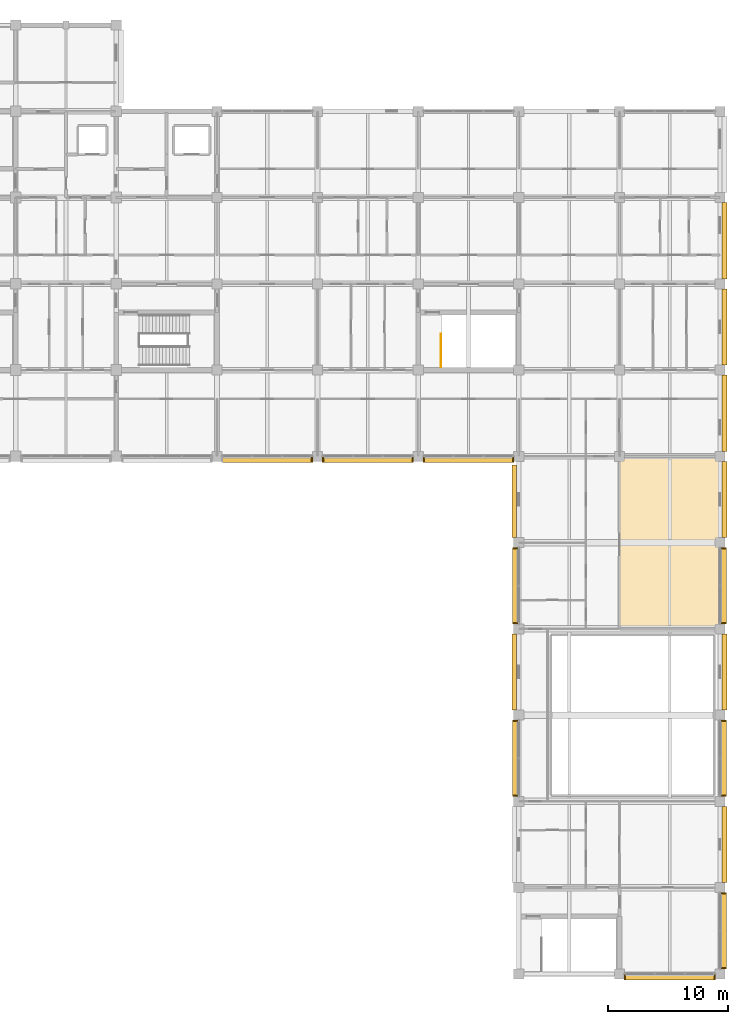
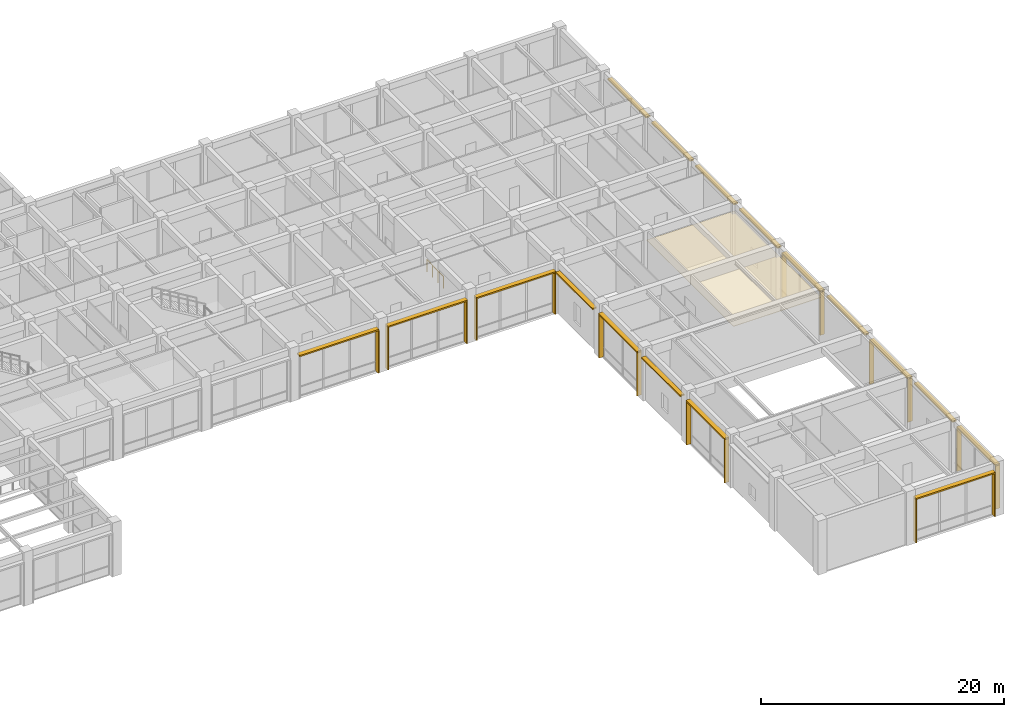
# One storey, part 57 of 58: 34 shading devices, 1 covering, 1 railing.
"""IFC4 building model written with IfcOpenShell, lengths in metres."""

from ifc_helpers import new_model, si_unit, direction, frame, origin, origin_2d, place, context, subcontext, project, spatial, polyline, rectangle, circle, outline, extrude, material, layer, layer_set, type_object, element, save


model = new_model("IFC4")

# Units and contexts
model_context = context("Model", 3, precision=1e-05, world=origin(), true_north=direction((0.0, 1.0)))
body_context = subcontext(model_context, "Body", "Model", "MODEL_VIEW")
ifc_project = project(units=[si_unit("LENGTHUNIT", "METRE"), si_unit("AREAUNIT", "SQUARE_METRE"), si_unit("VOLUMEUNIT", "CUBIC_METRE"), si_unit("PLANEANGLEUNIT", "RADIAN"), si_unit("MASSUNIT", "GRAM", prefix="KILO")], contexts=[model_context])

# Site, building, storey
site_placement = place(None, origin())
site = spatial("IfcSite", under=ifc_project, at=site_placement, CompositionType="ELEMENT")
building_placement = place(site_placement, origin())
building = spatial("IfcBuilding", under=site, at=building_placement, Name="Chengyuan Square Courthouse", CompositionType="ELEMENT")
storey_placement = place(building_placement, frame((0.0, 0.0, 16.199951171875)))
storey = spatial("IfcBuildingStorey", under=building, at=storey_placement, Name="L04", CompositionType="ELEMENT", Elevation=16.199951171875)

# Covering
ifc_material_1 = material(Name="Perforated Larch Glulam Acoustic Slat Ceiling", Category="wood")
ifc_layer = layer(ifc_material_1, 0.044921875)
ifc_layer_set = layer_set([ifc_layer], Name="Perforated Larch Glulam Acoustic Slat Ceiling")
covering_type = type_object("IfcCoveringType", Name="CLG-01", PredefinedType="CEILING", material=ifc_layer_set)
covering_placement = place(storey_placement, frame((0.0, 0.0, 4.10009765625)))
element("IfcCovering", 1, at=covering_placement, inside=storey, type_object=covering_type, Name="Acoustic Timber Slat Ceiling CLG-L04-CRT-E09", PredefinedType="CEILING", context=body_context, shape_type="SweptSolid", body=[
    extrude(outline(polyline([(159.64990234375, 64.85009765625), (167.949951171875, 64.85009765625), (167.949951171875, 79.14990234375), (159.64990234375, 79.14990234375), (159.64990234375, 64.85009765625)])), origin(), (0.0, 0.0, 1.0), 0.044921875),
])

# Railing
ifc_material_2 = material(Name="Tempered Glass and Timber Top-Rail Balustrade", Category="wood")
railing_type = type_object("IfcRailingType", Name="RL-02", PredefinedType="BALUSTRADE", material=ifc_material_2)
railing_placement = place(storey_placement, frame((144.68994140625, 86.64990234375, 0.0)))
element("IfcRailing", 2, at=railing_placement, inside=storey, type_object=railing_type, Name="Stair Top Landing Guard ST-10 L04", PredefinedType="BALUSTRADE", context=body_context, shape_type="SweptSolid", body=[
    extrude(circle(Radius=0.02392578125, at=origin_2d()), frame((0.0, 0.0, 1.17578125), z_axis=(0.0, 1.0, 0.0), x_axis=(-1.0, 0.0, 0.0)), (0.0, 0.0, 1.0), 2.75),
    extrude(circle(Radius=0.02099609375, at=origin_2d()), origin(), (0.0, 0.0, 1.0), 1.15185546875),
    extrude(circle(Radius=0.02099609375, at=origin_2d()), frame((0.0, 0.916748046875, 0.0)), (0.0, 0.0, 1.0), 1.15185546875),
    extrude(circle(Radius=0.02099609375, at=origin_2d()), frame((0.0, 1.833251953125, 0.0)), (0.0, 0.0, 1.0), 1.15185546875),
    extrude(circle(Radius=0.02099609375, at=origin_2d()), frame((0.0, 2.75, 0.0)), (0.0, 0.0, 1.0), 1.15185546875),
])

# Shading devices
ifc_material_3 = material(Name="Glulam TCt28 Solar Shading Fin", Category="wood")
shading_device_type_1 = type_object("IfcShadingDeviceType", Name="SHD-01", PredefinedType="JALOUSIE", material=ifc_material_3)
for number, where, z_axis, x_axis, name in (
    (3, (133.9423828125, 78.907958984375, 0.0400390625), (0.0, 0.0, 1.0), (0.0, 1.0, 0.0), "Glulam Solar Fin SHD-L04-0487"),
    (4, (134.857421875, 78.907958984375, 0.0400390625), (0.0, 0.0, 1.0), (0.0, 1.0, 0.0), "Glulam Solar Fin SHD-L04-0489"),
    (5, (142.342529296875, 78.907958984375, 0.0400390625), (0.0, 0.0, 1.0), (0.0, 1.0, 0.0), "Glulam Solar Fin SHD-L04-0490"),
):
    element("IfcShadingDevice", number, at=place(storey_placement, frame(where, z_axis=z_axis, x_axis=x_axis)), inside=storey, type_object=shading_device_type_1, Name=name, PredefinedType="JALOUSIE", context=body_context, shape_type="SweptSolid", body=[
        extrude(rectangle(XDim=0.419921875, YDim=0.094970703125, at=origin_2d()), origin(), (0.0, 0.0, 1.0), 4.260009765625),
    ])
for number, where, z_axis, x_axis, name in (
    (6, (143.257568359375, 78.907958984375, 0.0400390625), (0.0, 0.0, 1.0), (0.0, 1.0, 0.0), "Glulam Solar Fin SHD-L04-0492"),
    (7, (150.742431640625, 78.907958984375, 0.0400390625), (0.0, 0.0, 1.0), (0.0, 1.0, 0.0), "Glulam Solar Fin SHD-L04-0493"),
):
    element("IfcShadingDevice", number, at=place(storey_placement, frame(where, z_axis=z_axis, x_axis=x_axis)), inside=storey, type_object=shading_device_type_1, Name=name, PredefinedType="JALOUSIE", context=body_context, shape_type="SweptSolid", body=[
        extrude(rectangle(XDim=0.419921875, YDim=0.094970703125, at=origin_2d()), origin(), (0.0, 0.0, 1.0), 4.18994140625),
    ])
for number, where, z_axis, x_axis, name in (
    (8, (150.89794921875, 50.860107421875, 0.0400390625), (0.0, 0.0, 1.0), (1.0, 0.0, 0.0), "Glulam Solar Fin SHD-L04-0496"),
    (9, (150.89794921875, 57.139892578125, 0.0400390625), (0.0, 0.0, 1.0), (1.0, 0.0, 0.0), "Glulam Solar Fin SHD-L04-0497"),
    (10, (150.89794921875, 65.260009765625, 0.0400390625), (0.0, 0.0, 1.0), (1.0, 0.0, 0.0), "Glulam Solar Fin SHD-L04-0500"),
    (11, (150.89794921875, 71.5400390625, 0.0400390625), (0.0, 0.0, 1.0), (1.0, 0.0, 0.0), "Glulam Solar Fin SHD-L04-0501"),
    (12, (160.0576171875, 35.7080078125, 0.0400390625), (0.0, 0.0, 1.0), (0.0, 1.0, 0.0), "Glulam Solar Fin SHD-L04-0504"),
    (13, (167.54248046875, 35.7080078125, 0.0400390625), (0.0, 0.0, 1.0), (0.0, 1.0, 0.0), "Glulam Solar Fin SHD-L04-0505"),
    (14, (168.302001953125, 36.4599609375, 0.0400390625), (0.0, 0.0, 1.0), (1.0, 0.0, 0.0), "Glulam Solar Fin SHD-L04-0507"),
    (15, (168.302001953125, 42.739990234375, 0.0400390625), (0.0, 0.0, 1.0), (1.0, 0.0, 0.0), "Glulam Solar Fin SHD-L04-0508"),
    (16, (168.302001953125, 50.860107421875, 0.0400390625), (0.0, 0.0, 1.0), (1.0, 0.0, 0.0), "Glulam Solar Fin SHD-L04-0511"),
    (17, (168.302001953125, 57.139892578125, 0.0400390625), (0.0, 0.0, 1.0), (1.0, 0.0, 0.0), "Glulam Solar Fin SHD-L04-0512"),
    (18, (168.302001953125, 65.260009765625, 0.0400390625), (0.0, 0.0, 1.0), (1.0, 0.0, 0.0), "Glulam Solar Fin SHD-L04-0515"),
    (19, (168.302001953125, 71.5400390625, 0.0400390625), (0.0, 0.0, 1.0), (1.0, 0.0, 0.0), "Glulam Solar Fin SHD-L04-0516"),
):
    element("IfcShadingDevice", number, at=place(storey_placement, frame(where, z_axis=z_axis, x_axis=x_axis)), inside=storey, type_object=shading_device_type_1, Name=name, PredefinedType="JALOUSIE", context=body_context, shape_type="SweptSolid", body=[
        extrude(rectangle(XDim=0.419921875, YDim=0.094970703125, at=origin_2d()), origin(), (0.0, 0.0, 1.0), 4.340087890625),
    ])
ifc_material_4 = material(Name="Glulam TCt28 Sunshade Louvre", Category="wood")
shading_device_type_2 = type_object("IfcShadingDeviceType", Name="SHD-02", PredefinedType="AWNING", material=ifc_material_4)
for number, where, z_axis, x_axis, name in (
    (20, (130.199951171875, 78.907958984375, 4.30029296875), (0.0, 0.0, 1.0), (1.0, 0.0, 0.0), "Glulam Sunshade Louvre SHD-L04-0488"),
    (21, (138.60009765625, 78.907958984375, 4.30029296875), (0.0, 0.0, 1.0), (1.0, 0.0, 0.0), "Glulam Sunshade Louvre SHD-L04-0491"),
    (22, (147.0, 78.907958984375, 4.22998046875), (0.0, 0.0, 1.0), (1.0, 0.0, 0.0), "Glulam Sunshade Louvre SHD-L04-0494"),
):
    element("IfcShadingDevice", number, at=place(storey_placement, frame(where, z_axis=z_axis, x_axis=x_axis)), inside=storey, type_object=shading_device_type_2, Name=name, PredefinedType="AWNING", context=body_context, shape_type="SweptSolid", body=[
        extrude(rectangle(XDim=7.550048828125, YDim=0.43994140625, at=origin_2d()), origin(), (0.0, 0.0, 1.0), 0.139892578125),
    ])
for number, where, z_axis, x_axis, name in (
    (23, (150.89794921875, 54.0, 4.3798828125), (0.0, 0.0, 1.0), (0.0, 1.0, 0.0), "Glulam Sunshade Louvre SHD-L04-0498"),
    (24, (150.89794921875, 68.39990234375, 4.3798828125), (0.0, 0.0, 1.0), (0.0, 1.0, 0.0), "Glulam Sunshade Louvre SHD-L04-0502"),
):
    element("IfcShadingDevice", number, at=place(storey_placement, frame(where, z_axis=z_axis, x_axis=x_axis)), inside=storey, type_object=shading_device_type_2, Name=name, PredefinedType="AWNING", context=body_context, shape_type="SweptSolid", body=[
        extrude(rectangle(XDim=6.35009765625, YDim=0.43994140625, at=origin_2d()), origin(), (0.0, 0.0, 1.0), 0.139892578125),
    ])
shading_device_1_placement = place(storey_placement, frame((163.800048828125, 35.7080078125, 4.3798828125), z_axis=(0.0, 0.0, 1.0), x_axis=(1.0, 0.0, 0.0)))
element("IfcShadingDevice", 25, at=shading_device_1_placement, inside=storey, type_object=shading_device_type_2, Name="Glulam Sunshade Louvre SHD-L04-0506", PredefinedType="AWNING", context=body_context, shape_type="SweptSolid", body=[
    extrude(rectangle(XDim=7.550048828125, YDim=0.43994140625, at=origin_2d()), origin(), (0.0, 0.0, 1.0), 0.139892578125),
])
for number, where, z_axis, x_axis, name in (
    (26, (168.302001953125, 39.60009765625, 4.3798828125), (0.0, 0.0, 1.0), (0.0, 1.0, 0.0), "Glulam Sunshade Louvre SHD-L04-0509"),
    (27, (168.302001953125, 54.0, 4.3798828125), (0.0, 0.0, 1.0), (0.0, 1.0, 0.0), "Glulam Sunshade Louvre SHD-L04-0513"),
    (28, (168.302001953125, 68.39990234375, 4.3798828125), (0.0, 0.0, 1.0), (0.0, 1.0, 0.0), "Glulam Sunshade Louvre SHD-L04-0517"),
):
    element("IfcShadingDevice", number, at=place(storey_placement, frame(where, z_axis=z_axis, x_axis=x_axis)), inside=storey, type_object=shading_device_type_2, Name=name, PredefinedType="AWNING", context=body_context, shape_type="SweptSolid", body=[
        extrude(rectangle(XDim=6.35009765625, YDim=0.43994140625, at=origin_2d()), origin(), (0.0, 0.0, 1.0), 0.139892578125),
    ])
ifc_material_5 = material(Name="Glulam TCt28 Facade Sunshade", Category="wood")
shading_device_type_3 = type_object("IfcShadingDeviceType", Name="SHD-03", PredefinedType="AWNING", material=ifc_material_5)
shading_device_2_placement = place(storey_placement, frame((150.818115234375, 61.199951171875, 4.35986328125), z_axis=(0.0, 0.0, 1.0), x_axis=(0.0, 1.0, 0.0)))
element("IfcShadingDevice", 29, at=shading_device_2_placement, inside=storey, type_object=shading_device_type_3, Name="Glulam Facade Sunshade SHD-L04-0499", PredefinedType="AWNING", context=body_context, shape_type="SweptSolid", body=[
    extrude(rectangle(XDim=6.360107421875, YDim=0.39990234375, at=origin_2d()), origin(), (0.0, 0.0, 1.0), 0.139892578125),
])
shading_device_3_placement = place(storey_placement, frame((150.818115234375, 75.449951171875, 4.35986328125), z_axis=(0.0, 0.0, 1.0), x_axis=(0.0, 1.0, 0.0)))
element("IfcShadingDevice", 30, at=shading_device_3_placement, inside=storey, type_object=shading_device_type_3, Name="Glulam Facade Sunshade SHD-L04-0503", PredefinedType="AWNING", context=body_context, shape_type="SweptSolid", body=[
    extrude(rectangle(XDim=6.06005859375, YDim=0.39990234375, at=origin_2d()), origin(), (0.0, 0.0, 1.0), 0.139892578125),
])
for number, where, z_axis, x_axis, name in (
    (31, (168.382080078125, 46.800048828125, 4.35986328125), (0.0, 0.0, 1.0), (0.0, 1.0, 0.0), "Glulam Facade Sunshade SHD-L04-0510"),
    (32, (168.382080078125, 61.199951171875, 4.35986328125), (0.0, 0.0, 1.0), (0.0, 1.0, 0.0), "Glulam Facade Sunshade SHD-L04-0514"),
    (33, (168.382080078125, 75.60009765625, 4.35986328125), (0.0, 0.0, 1.0), (0.0, 1.0, 0.0), "Glulam Facade Sunshade SHD-L04-0518"),
    (34, (168.382080078125, 82.800048828125, 4.35986328125), (0.0, 0.0, 1.0), (0.0, 1.0, 0.0), "Glulam Facade Sunshade SHD-L04-0519"),
    (35, (168.382080078125, 90.0, 4.35986328125), (0.0, 0.0, 1.0), (0.0, 1.0, 0.0), "Glulam Facade Sunshade SHD-L04-0520"),
    (36, (168.382080078125, 97.199951171875, 4.35986328125), (0.0, 0.0, 1.0), (0.0, 1.0, 0.0), "Glulam Facade Sunshade SHD-L04-0521"),
):
    element("IfcShadingDevice", number, at=place(storey_placement, frame(where, z_axis=z_axis, x_axis=x_axis)), inside=storey, type_object=shading_device_type_3, Name=name, PredefinedType="AWNING", context=body_context, shape_type="SweptSolid", body=[
        extrude(rectangle(XDim=6.360107421875, YDim=0.39990234375, at=origin_2d()), origin(), (0.0, 0.0, 1.0), 0.139892578125),
    ])

save(model, "model.ifc")
